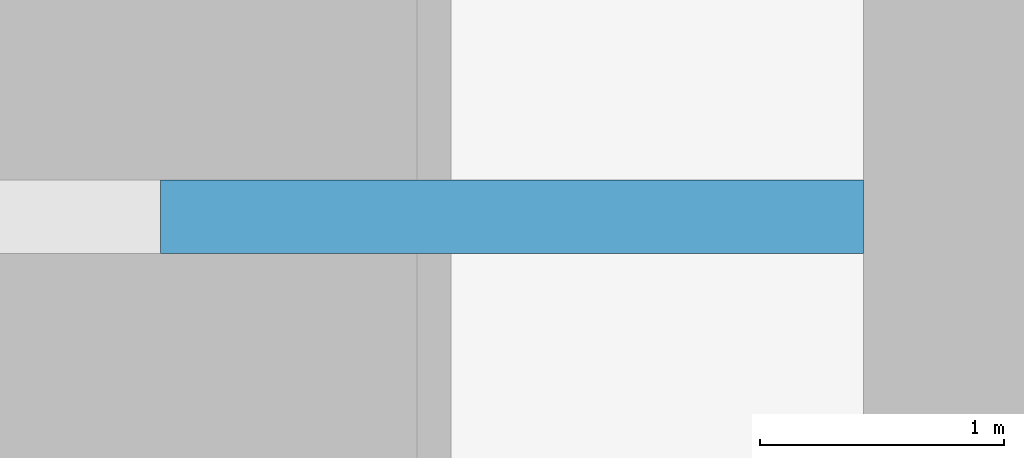
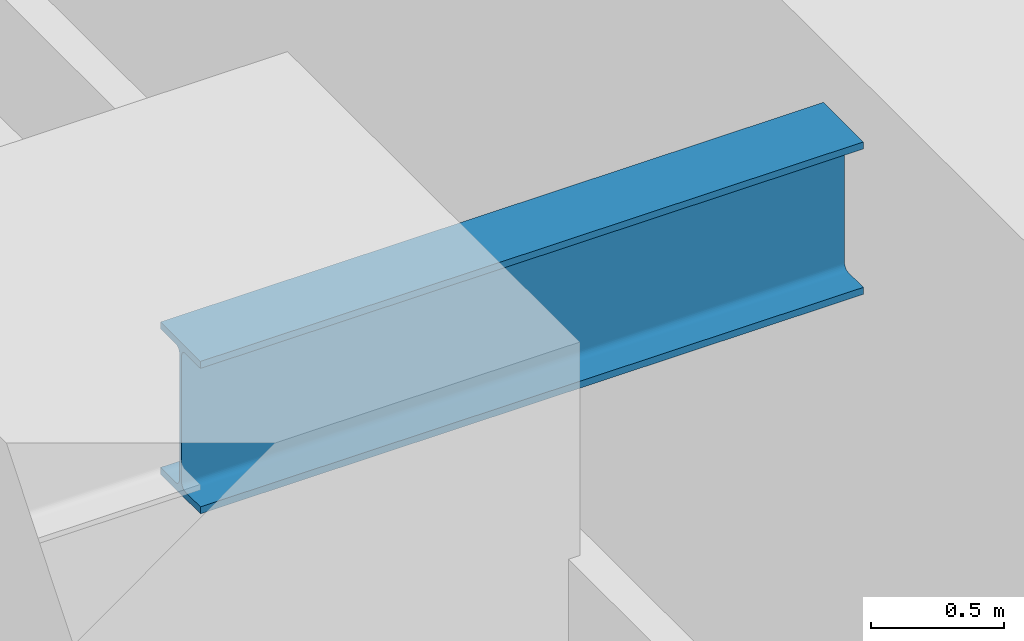
# One storey, part 7 of 30: 1 beam.
"""IFC4 building model written with IfcOpenShell, lengths in metres."""

from ifc_helpers import new_model, si_unit, direction, frame, origin, origin_2d, place, context, subcontext, project, spatial, i_section, extrude, source, transform, mapped, material, material_profile, profile_set, type_object, type_shapes, element, save


model = new_model("IFC4")

# Units and contexts
model_context = context("Model", 3, precision=1e-05, world=origin(), true_north=direction((0.0, 1.0)))
body_context = subcontext(model_context, "Body", "Model", "MODEL_VIEW")
ifc_project = project(units=[si_unit("LENGTHUNIT", "METRE"), si_unit("AREAUNIT", "SQUARE_METRE"), si_unit("VOLUMEUNIT", "CUBIC_METRE"), si_unit("PLANEANGLEUNIT", "RADIAN"), si_unit("MASSUNIT", "GRAM", prefix="KILO")], contexts=[model_context])

# Site, building, storey
site_placement = place(None, origin())
site = spatial("IfcSite", under=ifc_project, at=site_placement, CompositionType="ELEMENT")
building_placement = place(site_placement, origin())
building = spatial("IfcBuilding", under=site, at=building_placement, Name="Krantzveldt Concourse Tower", CompositionType="ELEMENT")
storey_placement = place(building_placement, frame((0.0, 0.0, 36.85009765625)))
storey = spatial("IfcBuildingStorey", under=building, at=storey_placement, Name="L08", CompositionType="ELEMENT", Elevation=36.85009765625)

# Beam
ifc_material = material(Name="Steel S355J2", Category="steel")
ifc_material_profile = material_profile(ifc_material, i_section(OverallWidth=0.300048828125, OverallDepth=0.699951171875, WebThickness=0.01708984375, FlangeThickness=0.031982421875, FilletRadius=0.027099609375, at=origin_2d()), Name="Steel S355J2", Category="steel")
ifc_profile_set = profile_set([ifc_material_profile], Name="Steel S355J2 - HEB 700")
beam_type = type_object("IfcBeamType", Name="BM-B-HEB700", PredefinedType="BEAM", material=ifc_profile_set)
shared_shape = source(origin(), body_context, "Body", "SweptSolid", [
    extrude(i_section(OverallWidth=0.300048828125, OverallDepth=0.699951171875, WebThickness=0.01708984375, FlangeThickness=0.031982421875, FilletRadius=0.027099609375, at=origin_2d()), origin(), (0.0, 0.0, 1.0), 2.880126953125),
])
type_shapes(beam_type, [shared_shape])
beam_placement = place(storey_placement, frame((25.199951171875, 15.89990234375, 3.31982421875), z_axis=(1.0, 0.0, 0.0), x_axis=(0.0, 1.0, 0.0)))
element("IfcBeam", 1, at=beam_placement, inside=storey, type_object=beam_type, Name="L08 Tower Girder BG-CW1", PredefinedType="BEAM", context=body_context, shape_type="MappedRepresentation", body=[
    mapped(shared_shape, transform((0.0, 0.0, 0.0), x_axis=(1.0, 0.0, 0.0), y_axis=(0.0, 1.0, 0.0), z_axis=(0.0, 0.0, 1.0), scale=1.0)),
])

save(model, "model.ifc")
